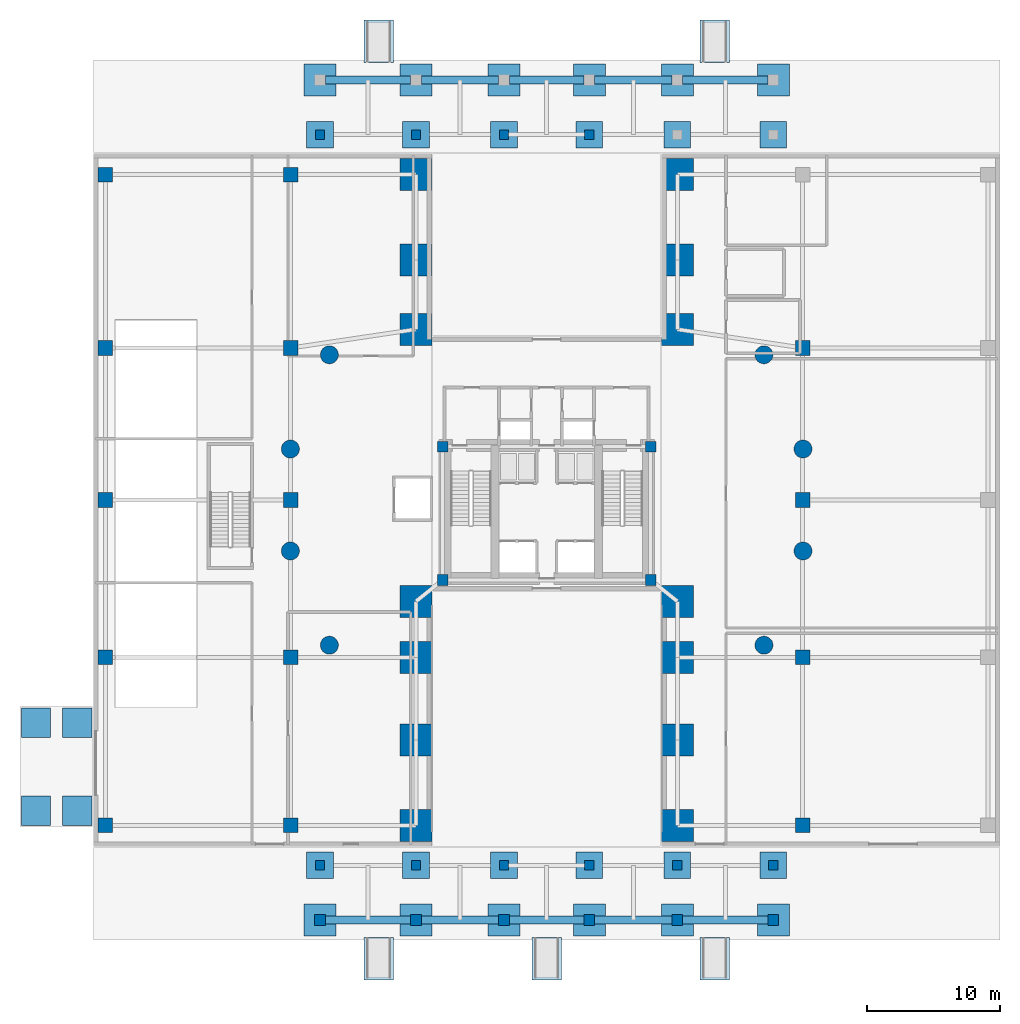
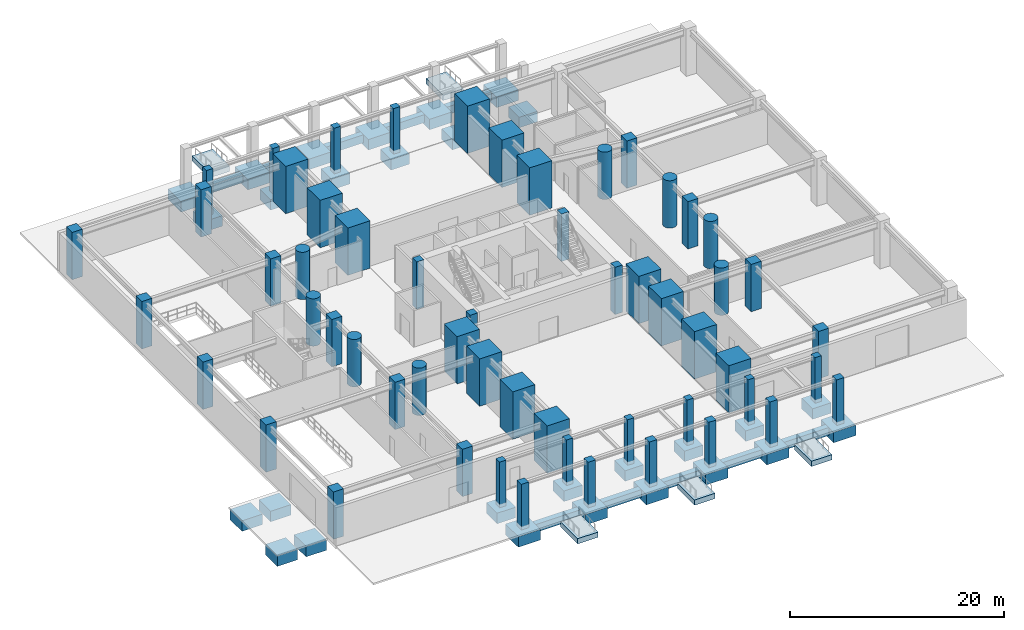
# One storey, part 1 of 11: 56 columns, 43 footings.
"""IFC4 building model written with IfcOpenShell, lengths in metres."""

from ifc_helpers import new_model, si_unit, direction, frame, origin, origin_2d, place, context, subcontext, project, spatial, polyline, rectangle, circle, outline, extrude, material, layer, layer_set, material_profile, profile_set, type_object, element, save


model = new_model("IFC4")

# Units and contexts
model_context = context("Model", 3, precision=1e-05, world=origin(), true_north=direction((0.0, 1.0)))
body_context = subcontext(model_context, "Body", "Model", "MODEL_VIEW")
ifc_project = project(units=[si_unit("LENGTHUNIT", "METRE"), si_unit("AREAUNIT", "SQUARE_METRE"), si_unit("VOLUMEUNIT", "CUBIC_METRE"), si_unit("PLANEANGLEUNIT", "RADIAN"), si_unit("MASSUNIT", "GRAM", prefix="KILO"), si_unit("THERMODYNAMICTEMPERATUREUNIT", "KELVIN"), si_unit("POWERUNIT", "WATT")], contexts=[model_context])

# Site, building, storey
site_placement = place(None, origin())
site = spatial("IfcSite", under=ifc_project, at=site_placement, CompositionType="ELEMENT")
building_placement = place(site_placement, origin())
building = spatial("IfcBuilding", under=site, at=building_placement, Name="Ocrelia Relay Tower", CompositionType="ELEMENT")
storey_placement = place(building_placement, origin())
storey = spatial("IfcBuildingStorey", under=building, at=storey_placement, Name="L00", CompositionType="ELEMENT", Elevation=0.0)

# Footings
ifc_material_1 = material(Name="Concrete C50/60", Category="concrete")
ifc_layer_1 = layer(ifc_material_1, 1.199951171875, Name="Concrete C50/60")
ifc_layer_set_1 = layer_set([ifc_layer_1], Name="Concrete C50/60")
footing_type_1 = type_object("IfcFootingType", Name="FT-PAD-2400", PredefinedType="PAD_FOOTING", material=ifc_layer_set_1)
footing_1_placement = place(storey_placement, frame((0.0, 0.0, -1.60009765625)))
element("IfcFooting", 1, at=footing_1_placement, inside=storey, type_object=footing_type_1, Name="S Forecourt Pad Footing 1", PredefinedType="PAD_FOOTING", context=body_context, shape_type="SweptSolid", body=[
    extrude(outline(polyline([(15.800048828125, -6.699951171875), (18.199951171875, -6.699951171875), (18.199951171875, -4.300048828125), (15.800048828125, -4.300048828125), (15.800048828125, -6.699951171875)])), origin(), (0.0, 0.0, 1.0), 1.2001953125),
])
footing_2_placement = place(storey_placement, frame((0.0, 0.0, -1.60009765625)))
element("IfcFooting", 2, at=footing_2_placement, inside=storey, type_object=footing_type_1, Name="S Canopy Inner Pad Footing 1", PredefinedType="PAD_FOOTING", context=body_context, shape_type="SweptSolid", body=[
    extrude(outline(polyline([(16.0, -2.39990234375), (18.0, -2.39990234375), (18.0, -0.39990234375), (16.0, -0.39990234375), (16.0, -2.39990234375)])), origin(), (0.0, 0.0, 1.0), 1.2001953125),
])
footing_3_placement = place(storey_placement, frame((0.0, 0.0, -1.60009765625)))
element("IfcFooting", 3, at=footing_3_placement, inside=storey, type_object=footing_type_1, Name="S Forecourt Pad Footing 2", PredefinedType="PAD_FOOTING", context=body_context, shape_type="SweptSolid", body=[
    extrude(outline(polyline([(23.0, -6.699951171875), (25.39990234375, -6.699951171875), (25.39990234375, -4.300048828125), (23.0, -4.300048828125), (23.0, -6.699951171875)])), origin(), (0.0, 0.0, 1.0), 1.2001953125),
])
footing_4_placement = place(storey_placement, frame((0.0, 0.0, -1.60009765625)))
element("IfcFooting", 4, at=footing_4_placement, inside=storey, type_object=footing_type_1, Name="S Canopy Inner Pad Footing 2", PredefinedType="PAD_FOOTING", context=body_context, shape_type="SweptSolid", body=[
    extrude(outline(polyline([(23.199951171875, -2.39990234375), (25.199951171875, -2.39990234375), (25.199951171875, -0.39990234375), (23.199951171875, -0.39990234375), (23.199951171875, -2.39990234375)])), origin(), (0.0, 0.0, 1.0), 1.2001953125),
])
footing_5_placement = place(storey_placement, frame((0.0, 0.0, -1.60009765625)))
element("IfcFooting", 5, at=footing_5_placement, inside=storey, type_object=footing_type_1, Name="S Forecourt Pad Footing 3", PredefinedType="PAD_FOOTING", context=body_context, shape_type="SweptSolid", body=[
    extrude(outline(polyline([(29.60009765625, -6.699951171875), (32.0, -6.699951171875), (32.0, -4.300048828125), (29.60009765625, -4.300048828125), (29.60009765625, -6.699951171875)])), origin(), (0.0, 0.0, 1.0), 1.2001953125),
])
footing_6_placement = place(storey_placement, frame((0.0, 0.0, -1.60009765625)))
element("IfcFooting", 6, at=footing_6_placement, inside=storey, type_object=footing_type_1, Name="S Canopy Inner Pad Footing 3", PredefinedType="PAD_FOOTING", context=body_context, shape_type="SweptSolid", body=[
    extrude(outline(polyline([(29.800048828125, -2.39990234375), (31.800048828125, -2.39990234375), (31.800048828125, -0.39990234375), (29.800048828125, -0.39990234375), (29.800048828125, -2.39990234375)])), origin(), (0.0, 0.0, 1.0), 1.2001953125),
])
footing_7_placement = place(storey_placement, frame((0.0, 0.0, -1.60009765625)))
element("IfcFooting", 7, at=footing_7_placement, inside=storey, type_object=footing_type_1, Name="S Forecourt Pad Footing 4", PredefinedType="PAD_FOOTING", context=body_context, shape_type="SweptSolid", body=[
    extrude(outline(polyline([(36.0, -6.699951171875), (38.39990234375, -6.699951171875), (38.39990234375, -4.300048828125), (36.0, -4.300048828125), (36.0, -6.699951171875)])), origin(), (0.0, 0.0, 1.0), 1.2001953125),
])
footing_8_placement = place(storey_placement, frame((0.0, 0.0, -1.60009765625)))
element("IfcFooting", 8, at=footing_8_placement, inside=storey, type_object=footing_type_1, Name="S Canopy Inner Pad Footing 4", PredefinedType="PAD_FOOTING", context=body_context, shape_type="SweptSolid", body=[
    extrude(outline(polyline([(36.199951171875, -2.39990234375), (38.199951171875, -2.39990234375), (38.199951171875, -0.39990234375), (36.199951171875, -0.39990234375), (36.199951171875, -2.39990234375)])), origin(), (0.0, 0.0, 1.0), 1.2001953125),
])
footing_9_placement = place(storey_placement, frame((0.0, 0.0, -1.60009765625)))
element("IfcFooting", 9, at=footing_9_placement, inside=storey, type_object=footing_type_1, Name="S Forecourt Pad Footing 5", PredefinedType="PAD_FOOTING", context=body_context, shape_type="SweptSolid", body=[
    extrude(outline(polyline([(42.60009765625, -6.699951171875), (45.0, -6.699951171875), (45.0, -4.300048828125), (42.60009765625, -4.300048828125), (42.60009765625, -6.699951171875)])), origin(), (0.0, 0.0, 1.0), 1.2001953125),
])
footing_10_placement = place(storey_placement, frame((0.0, 0.0, -1.60009765625)))
element("IfcFooting", 10, at=footing_10_placement, inside=storey, type_object=footing_type_1, Name="S Canopy Inner Pad Footing 5", PredefinedType="PAD_FOOTING", context=body_context, shape_type="SweptSolid", body=[
    extrude(outline(polyline([(42.800048828125, -2.39990234375), (44.800048828125, -2.39990234375), (44.800048828125, -0.39990234375), (42.800048828125, -0.39990234375), (42.800048828125, -2.39990234375)])), origin(), (0.0, 0.0, 1.0), 1.2001953125),
])
footing_11_placement = place(storey_placement, frame((0.0, 0.0, -1.60009765625)))
element("IfcFooting", 11, at=footing_11_placement, inside=storey, type_object=footing_type_1, Name="S Forecourt Pad Footing 6", PredefinedType="PAD_FOOTING", context=body_context, shape_type="SweptSolid", body=[
    extrude(outline(polyline([(49.800048828125, -6.699951171875), (52.199951171875, -6.699951171875), (52.199951171875, -4.300048828125), (49.800048828125, -4.300048828125), (49.800048828125, -6.699951171875)])), origin(), (0.0, 0.0, 1.0), 1.2001953125),
])
footing_12_placement = place(storey_placement, frame((0.0, 0.0, -1.60009765625)))
element("IfcFooting", 12, at=footing_12_placement, inside=storey, type_object=footing_type_1, Name="S Canopy Inner Pad Footing 6", PredefinedType="PAD_FOOTING", context=body_context, shape_type="SweptSolid", body=[
    extrude(outline(polyline([(50.0, -2.39990234375), (52.0, -2.39990234375), (52.0, -0.39990234375), (50.0, -0.39990234375), (50.0, -2.39990234375)])), origin(), (0.0, 0.0, 1.0), 1.2001953125),
])
footing_13_placement = place(storey_placement, frame((0.0, 0.0, -1.60009765625)))
element("IfcFooting", 13, at=footing_13_placement, inside=storey, type_object=footing_type_1, Name="N Forecourt Pad Footing 1", PredefinedType="PAD_FOOTING", context=body_context, shape_type="SweptSolid", body=[
    extrude(outline(polyline([(15.800048828125, 56.300048828125), (18.199951171875, 56.300048828125), (18.199951171875, 58.699951171875), (15.800048828125, 58.699951171875), (15.800048828125, 56.300048828125)])), origin(), (0.0, 0.0, 1.0), 1.2001953125),
])
footing_14_placement = place(storey_placement, frame((0.0, 0.0, -1.60009765625)))
element("IfcFooting", 14, at=footing_14_placement, inside=storey, type_object=footing_type_1, Name="N Canopy Inner Pad Footing 1", PredefinedType="PAD_FOOTING", context=body_context, shape_type="SweptSolid", body=[
    extrude(outline(polyline([(16.0, 52.39990234375), (18.0, 52.39990234375), (18.0, 54.39990234375), (16.0, 54.39990234375), (16.0, 52.39990234375)])), origin(), (0.0, 0.0, 1.0), 1.2001953125),
])
footing_15_placement = place(storey_placement, frame((0.0, 0.0, -1.60009765625)))
element("IfcFooting", 15, at=footing_15_placement, inside=storey, type_object=footing_type_1, Name="N Forecourt Pad Footing 2", PredefinedType="PAD_FOOTING", context=body_context, shape_type="SweptSolid", body=[
    extrude(outline(polyline([(23.0, 56.300048828125), (25.39990234375, 56.300048828125), (25.39990234375, 58.699951171875), (23.0, 58.699951171875), (23.0, 56.300048828125)])), origin(), (0.0, 0.0, 1.0), 1.2001953125),
])
footing_16_placement = place(storey_placement, frame((0.0, 0.0, -1.60009765625)))
element("IfcFooting", 16, at=footing_16_placement, inside=storey, type_object=footing_type_1, Name="N Canopy Inner Pad Footing 2", PredefinedType="PAD_FOOTING", context=body_context, shape_type="SweptSolid", body=[
    extrude(outline(polyline([(23.199951171875, 52.39990234375), (25.199951171875, 52.39990234375), (25.199951171875, 54.39990234375), (23.199951171875, 54.39990234375), (23.199951171875, 52.39990234375)])), origin(), (0.0, 0.0, 1.0), 1.2001953125),
])
footing_17_placement = place(storey_placement, frame((0.0, 0.0, -1.60009765625)))
element("IfcFooting", 17, at=footing_17_placement, inside=storey, type_object=footing_type_1, Name="N Forecourt Pad Footing 3", PredefinedType="PAD_FOOTING", context=body_context, shape_type="SweptSolid", body=[
    extrude(outline(polyline([(29.60009765625, 56.300048828125), (32.0, 56.300048828125), (32.0, 58.699951171875), (29.60009765625, 58.699951171875), (29.60009765625, 56.300048828125)])), origin(), (0.0, 0.0, 1.0), 1.2001953125),
])
footing_18_placement = place(storey_placement, frame((0.0, 0.0, -1.60009765625)))
element("IfcFooting", 18, at=footing_18_placement, inside=storey, type_object=footing_type_1, Name="N Canopy Inner Pad Footing 3", PredefinedType="PAD_FOOTING", context=body_context, shape_type="SweptSolid", body=[
    extrude(outline(polyline([(29.800048828125, 52.39990234375), (31.800048828125, 52.39990234375), (31.800048828125, 54.39990234375), (29.800048828125, 54.39990234375), (29.800048828125, 52.39990234375)])), origin(), (0.0, 0.0, 1.0), 1.2001953125),
])
footing_19_placement = place(storey_placement, frame((0.0, 0.0, -1.60009765625)))
element("IfcFooting", 19, at=footing_19_placement, inside=storey, type_object=footing_type_1, Name="N Forecourt Pad Footing 4", PredefinedType="PAD_FOOTING", context=body_context, shape_type="SweptSolid", body=[
    extrude(outline(polyline([(36.0, 56.300048828125), (38.39990234375, 56.300048828125), (38.39990234375, 58.699951171875), (36.0, 58.699951171875), (36.0, 56.300048828125)])), origin(), (0.0, 0.0, 1.0), 1.2001953125),
])
footing_20_placement = place(storey_placement, frame((0.0, 0.0, -1.60009765625)))
element("IfcFooting", 20, at=footing_20_placement, inside=storey, type_object=footing_type_1, Name="N Canopy Inner Pad Footing 4", PredefinedType="PAD_FOOTING", context=body_context, shape_type="SweptSolid", body=[
    extrude(outline(polyline([(36.199951171875, 52.39990234375), (38.199951171875, 52.39990234375), (38.199951171875, 54.39990234375), (36.199951171875, 54.39990234375), (36.199951171875, 52.39990234375)])), origin(), (0.0, 0.0, 1.0), 1.2001953125),
])
footing_21_placement = place(storey_placement, frame((0.0, 0.0, -1.60009765625)))
element("IfcFooting", 21, at=footing_21_placement, inside=storey, type_object=footing_type_1, Name="N Forecourt Pad Footing 5", PredefinedType="PAD_FOOTING", context=body_context, shape_type="SweptSolid", body=[
    extrude(outline(polyline([(42.60009765625, 56.300048828125), (45.0, 56.300048828125), (45.0, 58.699951171875), (42.60009765625, 58.699951171875), (42.60009765625, 56.300048828125)])), origin(), (0.0, 0.0, 1.0), 1.2001953125),
])
footing_22_placement = place(storey_placement, frame((0.0, 0.0, -1.60009765625)))
element("IfcFooting", 22, at=footing_22_placement, inside=storey, type_object=footing_type_1, Name="N Canopy Inner Pad Footing 5", PredefinedType="PAD_FOOTING", context=body_context, shape_type="SweptSolid", body=[
    extrude(outline(polyline([(42.800048828125, 52.39990234375), (44.800048828125, 52.39990234375), (44.800048828125, 54.39990234375), (42.800048828125, 54.39990234375), (42.800048828125, 52.39990234375)])), origin(), (0.0, 0.0, 1.0), 1.2001953125),
])
footing_23_placement = place(storey_placement, frame((0.0, 0.0, -1.60009765625)))
element("IfcFooting", 23, at=footing_23_placement, inside=storey, type_object=footing_type_1, Name="N Forecourt Pad Footing 6", PredefinedType="PAD_FOOTING", context=body_context, shape_type="SweptSolid", body=[
    extrude(outline(polyline([(49.800048828125, 56.300048828125), (52.199951171875, 56.300048828125), (52.199951171875, 58.699951171875), (49.800048828125, 58.699951171875), (49.800048828125, 56.300048828125)])), origin(), (0.0, 0.0, 1.0), 1.2001953125),
])
footing_24_placement = place(storey_placement, frame((0.0, 0.0, -1.60009765625)))
element("IfcFooting", 24, at=footing_24_placement, inside=storey, type_object=footing_type_1, Name="N Canopy Inner Pad Footing 6", PredefinedType="PAD_FOOTING", context=body_context, shape_type="SweptSolid", body=[
    extrude(outline(polyline([(50.0, 52.39990234375), (52.0, 52.39990234375), (52.0, 54.39990234375), (50.0, 54.39990234375), (50.0, 52.39990234375)])), origin(), (0.0, 0.0, 1.0), 1.2001953125),
])
footing_25_placement = place(storey_placement, frame((0.0, 0.0, -1.39990234375)))
element("IfcFooting", 25, at=footing_25_placement, inside=storey, type_object=footing_type_1, Name="West Ramp Driveway Apron Pad Footing 1", PredefinedType="PAD_FOOTING", context=body_context, shape_type="SweptSolid", body=[
    extrude(outline(polyline([(-5.39990234375, 1.60009765625), (-3.199951171875, 1.60009765625), (-3.199951171875, 3.800048828125), (-5.39990234375, 3.800048828125), (-5.39990234375, 1.60009765625)])), origin(), (0.0, 0.0, 1.0), 1.199951171875),
])
footing_26_placement = place(storey_placement, frame((0.0, 0.0, -1.39990234375)))
element("IfcFooting", 26, at=footing_26_placement, inside=storey, type_object=footing_type_1, Name="West Ramp Driveway Apron Pad Footing 2", PredefinedType="PAD_FOOTING", context=body_context, shape_type="SweptSolid", body=[
    extrude(outline(polyline([(-2.300048828125, 1.60009765625), (-0.10009765625, 1.60009765625), (-0.10009765625, 3.800048828125), (-2.300048828125, 3.800048828125), (-2.300048828125, 1.60009765625)])), origin(), (0.0, 0.0, 1.0), 1.199951171875),
])
footing_27_placement = place(storey_placement, frame((0.0, 0.0, -1.39990234375)))
element("IfcFooting", 27, at=footing_27_placement, inside=storey, type_object=footing_type_1, Name="West Ramp Driveway Apron Pad Footing 3", PredefinedType="PAD_FOOTING", context=body_context, shape_type="SweptSolid", body=[
    extrude(outline(polyline([(-5.39990234375, 8.199951171875), (-3.199951171875, 8.199951171875), (-3.199951171875, 10.39990234375), (-5.39990234375, 10.39990234375), (-5.39990234375, 8.199951171875)])), origin(), (0.0, 0.0, 1.0), 1.199951171875),
])
footing_28_placement = place(storey_placement, frame((0.0, 0.0, -1.39990234375)))
element("IfcFooting", 28, at=footing_28_placement, inside=storey, type_object=footing_type_1, Name="West Ramp Driveway Apron Pad Footing 4", PredefinedType="PAD_FOOTING", context=body_context, shape_type="SweptSolid", body=[
    extrude(outline(polyline([(-2.300048828125, 8.199951171875), (-0.10009765625, 8.199951171875), (-0.10009765625, 10.39990234375), (-2.300048828125, 10.39990234375), (-2.300048828125, 8.199951171875)])), origin(), (0.0, 0.0, 1.0), 1.199951171875),
])
ifc_layer_2 = layer(ifc_material_1, 0.60009765625, Name="Concrete C50/60")
ifc_layer_set_2 = layer_set([ifc_layer_2], Name="Concrete C50/60")
footing_type_2 = type_object("IfcFootingType", Name="FT-PAD-RAMP-2200", PredefinedType="PAD_FOOTING", material=ifc_layer_set_2)
footing_29_placement = place(storey_placement, frame((0.0, 0.0, -0.800048828125)))
element("IfcFooting", 29, at=footing_29_placement, inside=storey, type_object=footing_type_2, Name="Accessibility Ramp Foundation Pad ARP-S1", PredefinedType="PAD_FOOTING", context=body_context, shape_type="SweptSolid", body=[
    extrude(outline(polyline([(20.300048828125, -10.0), (22.5, -10.0), (22.5, -6.800048828125), (20.300048828125, -6.800048828125), (20.300048828125, -10.0)])), origin(), (0.0, 0.0, 1.0), 0.60009765625),
])
footing_30_placement = place(storey_placement, frame((0.0, 0.0, -0.800048828125)))
element("IfcFooting", 30, at=footing_30_placement, inside=storey, type_object=footing_type_2, Name="Accessibility Ramp Foundation Pad ARP-S2", PredefinedType="PAD_FOOTING", context=body_context, shape_type="SweptSolid", body=[
    extrude(outline(polyline([(45.5, -10.0), (47.699951171875, -10.0), (47.699951171875, -6.800048828125), (45.5, -6.800048828125), (45.5, -10.0)])), origin(), (0.0, 0.0, 1.0), 0.60009765625),
])
footing_31_placement = place(storey_placement, frame((0.0, 0.0, -0.800048828125)))
element("IfcFooting", 31, at=footing_31_placement, inside=storey, type_object=footing_type_2, Name="Accessibility Ramp Foundation Pad ARP-S3", PredefinedType="PAD_FOOTING", context=body_context, shape_type="SweptSolid", body=[
    extrude(outline(polyline([(32.89990234375, -10.0), (35.10009765625, -10.0), (35.10009765625, -6.800048828125), (32.89990234375, -6.800048828125), (32.89990234375, -10.0)])), origin(), (0.0, 0.0, 1.0), 0.60009765625),
])
footing_32_placement = place(storey_placement, frame((0.0, 0.0, -0.800048828125)))
element("IfcFooting", 32, at=footing_32_placement, inside=storey, type_object=footing_type_2, Name="Accessibility Ramp Foundation Pad ARP-N1", PredefinedType="PAD_FOOTING", context=body_context, shape_type="SweptSolid", body=[
    extrude(outline(polyline([(20.300048828125, 58.800048828125), (22.5, 58.800048828125), (22.5, 62.0), (20.300048828125, 62.0), (20.300048828125, 58.800048828125)])), origin(), (0.0, 0.0, 1.0), 0.60009765625),
])
footing_33_placement = place(storey_placement, frame((0.0, 0.0, -0.800048828125)))
element("IfcFooting", 33, at=footing_33_placement, inside=storey, type_object=footing_type_2, Name="Accessibility Ramp Foundation Pad ARP-N2", PredefinedType="PAD_FOOTING", context=body_context, shape_type="SweptSolid", body=[
    extrude(outline(polyline([(45.5, 58.800048828125), (47.699951171875, 58.800048828125), (47.699951171875, 62.0), (45.5, 62.0), (45.5, 58.800048828125)])), origin(), (0.0, 0.0, 1.0), 0.60009765625),
])
ifc_material_profile_1 = material_profile(ifc_material_1, rectangle(XDim=0.60009765625, YDim=0.89990234375, at=origin_2d()), Name="RC-BM-600x900")
ifc_profile_set_1 = profile_set([ifc_material_profile_1], Name="Concrete C50/60")
footing_type_3 = type_object("IfcFootingType", Name="FT-TIE-600x900", PredefinedType="FOOTING_BEAM", material=ifc_profile_set_1)
footing_34_placement = place(storey_placement, frame((17.39990234375, -5.5, -0.85009765625), z_axis=(1.0, 0.0, 0.0), x_axis=(0.0, 1.0, 0.0)))
element("IfcFooting", 34, at=footing_34_placement, inside=storey, type_object=footing_type_3, Name="S Forecourt Ground Tie Beam 1", PredefinedType="FOOTING_BEAM", context=body_context, shape_type="SweptSolid", body=[
    extrude(rectangle(XDim=0.60009765625, YDim=0.89990234375, at=origin_2d()), origin(), (0.0, 0.0, 1.0), 6.400146484375),
])
footing_35_placement = place(storey_placement, frame((24.60009765625, -5.5, -0.85009765625), z_axis=(1.0, 0.0, 0.0), x_axis=(0.0, 1.0, 0.0)))
element("IfcFooting", 35, at=footing_35_placement, inside=storey, type_object=footing_type_3, Name="S Forecourt Ground Tie Beam 2", PredefinedType="FOOTING_BEAM", context=body_context, shape_type="SweptSolid", body=[
    extrude(rectangle(XDim=0.60009765625, YDim=0.89990234375, at=origin_2d()), origin(), (0.0, 0.0, 1.0), 5.7998046875),
])
footing_36_placement = place(storey_placement, frame((31.199951171875, -5.5, -0.85009765625), z_axis=(1.0, 0.0, 0.0), x_axis=(0.0, 1.0, 0.0)))
element("IfcFooting", 36, at=footing_36_placement, inside=storey, type_object=footing_type_3, Name="S Forecourt Ground Tie Beam 3", PredefinedType="FOOTING_BEAM", context=body_context, shape_type="SweptSolid", body=[
    extrude(rectangle(XDim=0.60009765625, YDim=0.89990234375, at=origin_2d()), origin(), (0.0, 0.0, 1.0), 5.60009765625),
])
footing_37_placement = place(storey_placement, frame((37.60009765625, -5.5, -0.85009765625), z_axis=(1.0, 0.0, 0.0), x_axis=(0.0, 1.0, 0.0)))
element("IfcFooting", 37, at=footing_37_placement, inside=storey, type_object=footing_type_3, Name="S Forecourt Ground Tie Beam 4", PredefinedType="FOOTING_BEAM", context=body_context, shape_type="SweptSolid", body=[
    extrude(rectangle(XDim=0.60009765625, YDim=0.89990234375, at=origin_2d()), origin(), (0.0, 0.0, 1.0), 5.7998046875),
])
for number, where, z_axis, x_axis, name in (
    (38, (44.199951171875, -5.5, -0.85009765625), (1.0, 0.0, 0.0), (0.0, 1.0, 0.0), "S Forecourt Ground Tie Beam 5"),
    (39, (17.39990234375, 57.5, -0.85009765625), (1.0, 0.0, 0.0), (0.0, 1.0, 0.0), "N Forecourt Ground Tie Beam 1"),
):
    element("IfcFooting", number, at=place(storey_placement, frame(where, z_axis=z_axis, x_axis=x_axis)), inside=storey, type_object=footing_type_3, Name=name, PredefinedType="FOOTING_BEAM", context=body_context, shape_type="SweptSolid", body=[
        extrude(rectangle(XDim=0.60009765625, YDim=0.89990234375, at=origin_2d()), origin(), (0.0, 0.0, 1.0), 6.400146484375),
    ])
footing_38_placement = place(storey_placement, frame((24.60009765625, 57.5, -0.85009765625), z_axis=(1.0, 0.0, 0.0), x_axis=(0.0, 1.0, 0.0)))
element("IfcFooting", 40, at=footing_38_placement, inside=storey, type_object=footing_type_3, Name="N Forecourt Ground Tie Beam 2", PredefinedType="FOOTING_BEAM", context=body_context, shape_type="SweptSolid", body=[
    extrude(rectangle(XDim=0.60009765625, YDim=0.89990234375, at=origin_2d()), origin(), (0.0, 0.0, 1.0), 5.7998046875),
])
footing_39_placement = place(storey_placement, frame((31.199951171875, 57.5, -0.85009765625), z_axis=(1.0, 0.0, 0.0), x_axis=(0.0, 1.0, 0.0)))
element("IfcFooting", 41, at=footing_39_placement, inside=storey, type_object=footing_type_3, Name="N Forecourt Ground Tie Beam 3", PredefinedType="FOOTING_BEAM", context=body_context, shape_type="SweptSolid", body=[
    extrude(rectangle(XDim=0.60009765625, YDim=0.89990234375, at=origin_2d()), origin(), (0.0, 0.0, 1.0), 5.60009765625),
])
footing_40_placement = place(storey_placement, frame((37.60009765625, 57.5, -0.85009765625), z_axis=(1.0, 0.0, 0.0), x_axis=(0.0, 1.0, 0.0)))
element("IfcFooting", 42, at=footing_40_placement, inside=storey, type_object=footing_type_3, Name="N Forecourt Ground Tie Beam 4", PredefinedType="FOOTING_BEAM", context=body_context, shape_type="SweptSolid", body=[
    extrude(rectangle(XDim=0.60009765625, YDim=0.89990234375, at=origin_2d()), origin(), (0.0, 0.0, 1.0), 5.7998046875),
])
footing_41_placement = place(storey_placement, frame((44.199951171875, 57.5, -0.85009765625), z_axis=(1.0, 0.0, 0.0), x_axis=(0.0, 1.0, 0.0)))
element("IfcFooting", 43, at=footing_41_placement, inside=storey, type_object=footing_type_3, Name="N Forecourt Ground Tie Beam 5", PredefinedType="FOOTING_BEAM", context=body_context, shape_type="SweptSolid", body=[
    extrude(rectangle(XDim=0.60009765625, YDim=0.89990234375, at=origin_2d()), origin(), (0.0, 0.0, 1.0), 6.400146484375),
])

# Columns
ifc_material_2 = material(Name="Concrete C70/85", Category="concrete")
ifc_material_profile_2 = material_profile(ifc_material_2, rectangle(XDim=1.10009765625, YDim=1.10009765625, at=origin_2d()), Name="RC-COL-1100x1100")
ifc_profile_set_2 = profile_set([ifc_material_profile_2], Name="Concrete C70/85")
column_type_1 = type_object("IfcColumnType", Name="COL-CC-1100", PredefinedType="COLUMN", material=ifc_profile_set_2)
for number, where, z_axis, x_axis, name in (
    (44, (0.89990234375, 1.60009765625, 0.0), (0.0, 0.0, 1.0), (1.0, 0.0, 0.0), "L00 Podium Column PC01"),
    (45, (0.89990234375, 14.199951171875, 0.0), (0.0, 0.0, 1.0), (1.0, 0.0, 0.0), "L00 Podium Column PC02"),
    (46, (0.89990234375, 26.0, 0.0), (0.0, 0.0, 1.0), (1.0, 0.0, 0.0), "L00 Podium Column PC03"),
    (47, (0.89990234375, 37.39990234375, 0.0), (0.0, 0.0, 1.0), (1.0, 0.0, 0.0), "L00 Podium Column PC04"),
    (48, (0.89990234375, 50.39990234375, 0.0), (0.0, 0.0, 1.0), (1.0, 0.0, 0.0), "L00 Podium Column PC05"),
    (49, (14.800048828125, 1.60009765625, 0.0), (0.0, 0.0, 1.0), (1.0, 0.0, 0.0), "L00 Podium Column PC06"),
    (50, (14.800048828125, 14.199951171875, 0.0), (0.0, 0.0, 1.0), (1.0, 0.0, 0.0), "L00 Podium Column PC07"),
    (51, (14.800048828125, 26.0, 0.0), (0.0, 0.0, 1.0), (1.0, 0.0, 0.0), "L00 Podium Column PC08"),
    (52, (14.800048828125, 37.39990234375, 0.0), (0.0, 0.0, 1.0), (1.0, 0.0, 0.0), "L00 Podium Column PC09"),
    (53, (14.800048828125, 50.39990234375, 0.0), (0.0, 0.0, 1.0), (1.0, 0.0, 0.0), "L00 Podium Column PC10"),
    (54, (53.199951171875, 1.60009765625, 0.0), (0.0, 0.0, 1.0), (1.0, 0.0, 0.0), "L00 Podium Column PC11"),
    (55, (53.199951171875, 14.199951171875, 0.0), (0.0, 0.0, 1.0), (1.0, 0.0, 0.0), "L00 Podium Column PC12"),
    (56, (53.199951171875, 26.0, 0.0), (0.0, 0.0, 1.0), (1.0, 0.0, 0.0), "L00 Podium Column PC13"),
    (57, (53.199951171875, 37.39990234375, 0.0), (0.0, 0.0, 1.0), (1.0, 0.0, 0.0), "L00 Podium Column PC14"),
):
    element("IfcColumn", number, at=place(storey_placement, frame(where, z_axis=z_axis, x_axis=x_axis)), inside=storey, type_object=column_type_1, Name=name, PredefinedType="COLUMN", context=body_context, shape_type="SweptSolid", body=[
        extrude(rectangle(XDim=1.10009765625, YDim=1.10009765625, at=origin_2d()), origin(), (0.0, 0.0, 1.0), 5.39990234375),
    ])
ifc_material_profile_3 = material_profile(ifc_material_1, rectangle(XDim=0.699951171875, YDim=0.699951171875, at=origin_2d()), Name="RC-COL-700x700")
ifc_profile_set_3 = profile_set([ifc_material_profile_3], Name="Concrete C50/60")
column_type_2 = type_object("IfcColumnType", Name="COL-CC-700", PredefinedType="COLUMN", material=ifc_profile_set_3)
for number, where, z_axis, x_axis, name in (
    (58, (17.0, -1.39990234375, -0.39990234375), (0.0, 0.0, 1.0), (1.0, 0.0, 0.0), "S Canopy Inner Post 1"),
    (59, (24.199951171875, -1.39990234375, -0.39990234375), (0.0, 0.0, 1.0), (1.0, 0.0, 0.0), "S Canopy Inner Post 2"),
    (60, (30.800048828125, -1.39990234375, -0.39990234375), (0.0, 0.0, 1.0), (1.0, 0.0, 0.0), "S Canopy Inner Post 3"),
    (61, (37.199951171875, -1.39990234375, -0.39990234375), (0.0, 0.0, 1.0), (1.0, 0.0, 0.0), "S Canopy Inner Post 4"),
    (62, (43.800048828125, -1.39990234375, -0.39990234375), (0.0, 0.0, 1.0), (1.0, 0.0, 0.0), "S Canopy Inner Post 5"),
    (63, (51.0, -1.39990234375, -0.39990234375), (0.0, 0.0, 1.0), (1.0, 0.0, 0.0), "S Canopy Inner Post 6"),
    (64, (17.0, 53.39990234375, -0.39990234375), (0.0, 0.0, 1.0), (1.0, 0.0, 0.0), "N Canopy Inner Post 1"),
    (65, (24.199951171875, 53.39990234375, -0.39990234375), (0.0, 0.0, 1.0), (1.0, 0.0, 0.0), "N Canopy Inner Post 2"),
    (66, (30.800048828125, 53.39990234375, -0.39990234375), (0.0, 0.0, 1.0), (1.0, 0.0, 0.0), "N Canopy Inner Post 3"),
    (67, (37.199951171875, 53.39990234375, -0.39990234375), (0.0, 0.0, 1.0), (1.0, 0.0, 0.0), "N Canopy Inner Post 4"),
):
    element("IfcColumn", number, at=place(storey_placement, frame(where, z_axis=z_axis, x_axis=x_axis)), inside=storey, type_object=column_type_2, Name=name, PredefinedType="COLUMN", context=body_context, shape_type="SweptSolid", body=[
        extrude(rectangle(XDim=0.699951171875, YDim=0.699951171875, at=origin_2d()), origin(), (0.0, 0.0, 1.0), 5.199951171875),
    ])
ifc_material_profile_4 = material_profile(ifc_material_1, rectangle(XDim=0.800048828125, YDim=0.800048828125, at=origin_2d()), Name="RC-COL-800x800")
ifc_profile_set_4 = profile_set([ifc_material_profile_4], Name="Concrete C50/60")
column_type_3 = type_object("IfcColumnType", Name="COL-CC-800", PredefinedType="COLUMN", material=ifc_profile_set_4)
for number, where, z_axis, x_axis, name in (
    (68, (17.0, -5.5, -0.39990234375), (0.0, 0.0, 1.0), (1.0, 0.0, 0.0), "S Forecourt Canopy Column 1"),
    (69, (24.199951171875, -5.5, -0.39990234375), (0.0, 0.0, 1.0), (1.0, 0.0, 0.0), "S Forecourt Canopy Column 2"),
    (70, (30.800048828125, -5.5, -0.39990234375), (0.0, 0.0, 1.0), (1.0, 0.0, 0.0), "S Forecourt Canopy Column 3"),
    (71, (37.199951171875, -5.5, -0.39990234375), (0.0, 0.0, 1.0), (1.0, 0.0, 0.0), "S Forecourt Canopy Column 4"),
    (72, (43.800048828125, -5.5, -0.39990234375), (0.0, 0.0, 1.0), (1.0, 0.0, 0.0), "S Forecourt Canopy Column 5"),
    (73, (51.0, -5.5, -0.39990234375), (0.0, 0.0, 1.0), (1.0, 0.0, 0.0), "S Forecourt Canopy Column 6"),
):
    element("IfcColumn", number, at=place(storey_placement, frame(where, z_axis=z_axis, x_axis=x_axis)), inside=storey, type_object=column_type_3, Name=name, PredefinedType="COLUMN", context=body_context, shape_type="SweptSolid", body=[
        extrude(rectangle(XDim=0.800048828125, YDim=0.800048828125, at=origin_2d()), origin(), (0.0, 0.0, 1.0), 5.199951171875),
    ])
ifc_material_profile_5 = material_profile(ifc_material_2, circle(Radius=0.675048828125, at=origin_2d()), Name="RC-CIR-1350")
ifc_profile_set_5 = profile_set([ifc_material_profile_5], Name="Concrete C70/85")
column_type_4 = type_object("IfcColumnType", Name="COL-CT-1350", PredefinedType="COLUMN", material=ifc_profile_set_5)
for number, where, z_axis, x_axis, name in (
    (74, (53.223388671875, 29.82373046875, 0.0), (0.0, 0.0, 1.0), (1.0, 0.0, 0.0), "L00 Tower Ring Column Z1-01"),
    (75, (50.296875, 36.88916015625, 0.0), (0.0, 0.0, 1.0), (1.0, 0.0, 0.0), "L00 Tower Ring Column Z1-02"),
    (76, (17.703125, 36.88916015625, 0.0), (0.0, 0.0, 1.0), (1.0, 0.0, 0.0), "L00 Tower Ring Column Z1-07"),
    (77, (14.776611328125, 29.82373046875, 0.0), (0.0, 0.0, 1.0), (1.0, 0.0, 0.0), "L00 Tower Ring Column Z1-08"),
    (78, (14.776611328125, 22.17626953125, 0.0), (0.0, 0.0, 1.0), (1.0, 0.0, 0.0), "L00 Tower Ring Column Z1-09"),
    (79, (17.703125, 15.11083984375, 0.0), (0.0, 0.0, 1.0), (1.0, 0.0, 0.0), "L00 Tower Ring Column Z1-10"),
    (80, (50.296875, 15.11083984375, 0.0), (0.0, 0.0, 1.0), (1.0, 0.0, 0.0), "L00 Tower Ring Column Z1-15"),
    (81, (53.223388671875, 22.17626953125, 0.0), (0.0, 0.0, 1.0), (1.0, 0.0, 0.0), "L00 Tower Ring Column Z1-16"),
):
    element("IfcColumn", number, at=place(storey_placement, frame(where, z_axis=z_axis, x_axis=x_axis)), inside=storey, type_object=column_type_4, Name=name, PredefinedType="COLUMN", context=body_context, shape_type="SweptSolid", body=[
        extrude(circle(Radius=0.675048828125, at=origin_2d()), origin(), (0.0, 0.0, 1.0), 5.39990234375),
    ])
ifc_material_profile_6 = material_profile(ifc_material_2, rectangle(XDim=2.39990234375, YDim=2.39990234375, at=origin_2d()), Name="RC-PIER-2400x2400")
ifc_profile_set_6 = profile_set([ifc_material_profile_6], Name="Concrete C70/85")
column_type_5 = type_object("IfcColumnType", Name="COL-PIER-2400", PredefinedType="USERDEFINED", material=ifc_profile_set_6)
for number, where, z_axis, x_axis, name in (
    (82, (24.199951171875, 1.60009765625, 0.0), (0.0, 0.0, 1.0), (1.0, 0.0, 0.0), "L00 Portal Arch Pier P01"),
    (83, (24.199951171875, 8.0, 0.0), (0.0, 0.0, 1.0), (1.0, 0.0, 0.0), "L00 Portal Arch Pier P02"),
    (84, (24.199951171875, 14.199951171875, 0.0), (0.0, 0.0, 1.0), (1.0, 0.0, 0.0), "L00 Portal Arch Pier P03"),
    (85, (24.199951171875, 18.39990234375, 0.0), (0.0, 0.0, 1.0), (1.0, 0.0, 0.0), "L00 Portal Arch Pier P04"),
    (86, (24.199951171875, 38.800048828125, 0.0), (0.0, 0.0, 1.0), (1.0, 0.0, 0.0), "L00 Portal Arch Pier P05"),
    (87, (24.199951171875, 44.0, 0.0), (0.0, 0.0, 1.0), (1.0, 0.0, 0.0), "L00 Portal Arch Pier P06"),
    (88, (24.199951171875, 50.39990234375, 0.0), (0.0, 0.0, 1.0), (1.0, 0.0, 0.0), "L00 Portal Arch Pier P07"),
    (89, (43.800048828125, 1.60009765625, 0.0), (0.0, 0.0, 1.0), (1.0, 0.0, 0.0), "L00 Portal Arch Pier P08"),
    (90, (43.800048828125, 8.0, 0.0), (0.0, 0.0, 1.0), (1.0, 0.0, 0.0), "L00 Portal Arch Pier P09"),
    (91, (43.800048828125, 14.199951171875, 0.0), (0.0, 0.0, 1.0), (1.0, 0.0, 0.0), "L00 Portal Arch Pier P10"),
    (92, (43.800048828125, 18.39990234375, 0.0), (0.0, 0.0, 1.0), (1.0, 0.0, 0.0), "L00 Portal Arch Pier P11"),
    (93, (43.800048828125, 38.800048828125, 0.0), (0.0, 0.0, 1.0), (1.0, 0.0, 0.0), "L00 Portal Arch Pier P12"),
    (94, (43.800048828125, 44.0, 0.0), (0.0, 0.0, 1.0), (1.0, 0.0, 0.0), "L00 Portal Arch Pier P13"),
    (95, (43.800048828125, 50.39990234375, 0.0), (0.0, 0.0, 1.0), (1.0, 0.0, 0.0), "L00 Portal Arch Pier P14"),
):
    element("IfcColumn", number, at=place(storey_placement, frame(where, z_axis=z_axis, x_axis=x_axis)), inside=storey, type_object=column_type_5, Name=name, ObjectType="PORTAL PIER", PredefinedType="USERDEFINED", context=body_context, shape_type="SweptSolid", body=[
        extrude(rectangle(XDim=2.39990234375, YDim=2.39990234375, at=origin_2d()), origin(), (0.0, 0.0, 1.0), 5.39990234375),
    ])
ifc_material_3 = material(Name="Concrete C60/75", Category="concrete")
ifc_material_profile_7 = material_profile(ifc_material_3, rectangle(XDim=0.800048828125, YDim=0.800048828125, at=origin_2d()), Name="RC-COL-800x800")
ifc_profile_set_7 = profile_set([ifc_material_profile_7], Name="Concrete C60/75")
column_type_6 = type_object("IfcColumnType", Name="COL-PILASTER-800", PredefinedType="PILASTER", material=ifc_profile_set_7)
for number, where, z_axis, x_axis, name in (
    (96, (26.199951171875, 20.0, 0.0), (0.0, 0.0, 1.0), (1.0, 0.0, 0.0), "L00 Core Corner Pilaster SW"),
    (97, (41.800048828125, 20.0, 0.0), (0.0, 0.0, 1.0), (1.0, 0.0, 0.0), "L00 Core Corner Pilaster SE"),
    (98, (26.199951171875, 30.0, 0.0), (0.0, 0.0, 1.0), (1.0, 0.0, 0.0), "L00 Core Corner Pilaster NW"),
    (99, (41.800048828125, 30.0, 0.0), (0.0, 0.0, 1.0), (1.0, 0.0, 0.0), "L00 Core Corner Pilaster NE"),
):
    element("IfcColumn", number, at=place(storey_placement, frame(where, z_axis=z_axis, x_axis=x_axis)), inside=storey, type_object=column_type_6, Name=name, PredefinedType="PILASTER", context=body_context, shape_type="SweptSolid", body=[
        extrude(rectangle(XDim=0.800048828125, YDim=0.800048828125, at=origin_2d()), origin(), (0.0, 0.0, 1.0), 5.39990234375),
    ])

save(model, "model.ifc")
